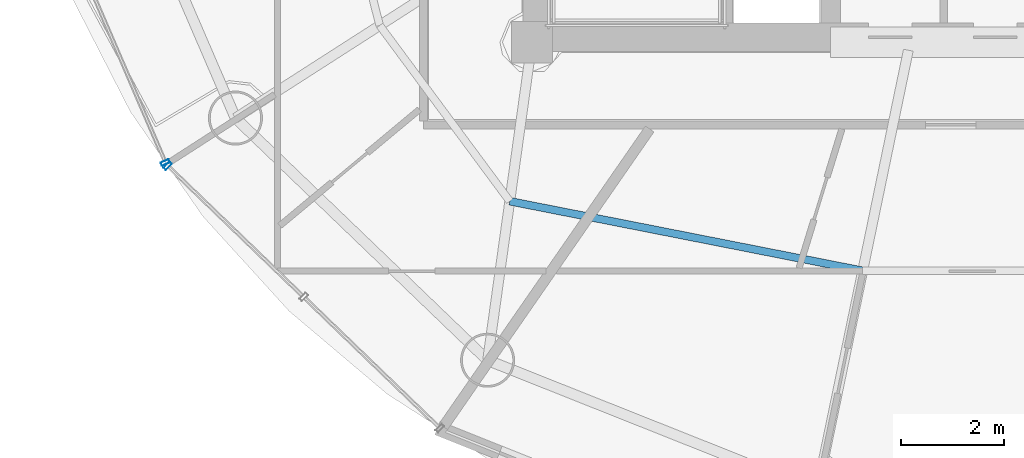
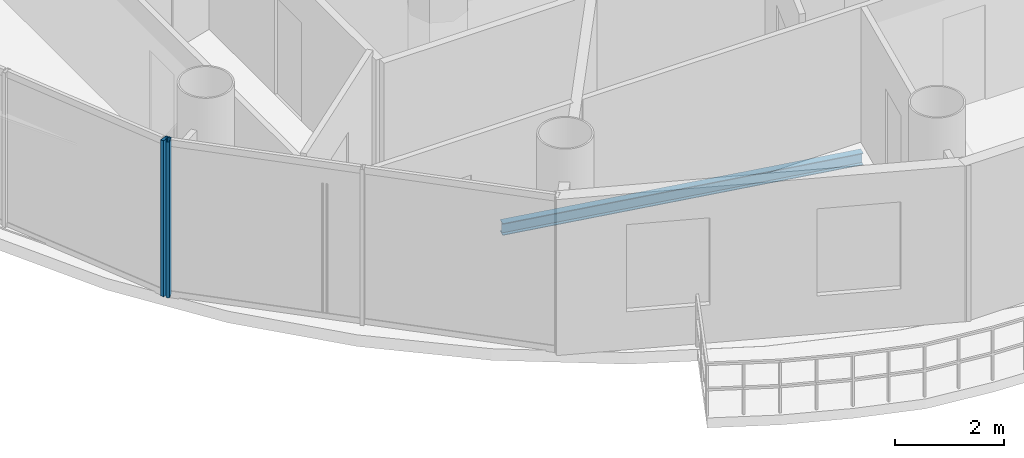
# One storey, part 3 of 24: 2 members, 1 beam, 2 elements without a shape of their own.
"""IFC4 building model written with IfcOpenShell, lengths in metres."""

from ifc_helpers import new_model, si_unit, direction, frame, origin, origin_2d, place, context, subcontext, project, spatial, hollow_rectangle, i_section, extrude, source, transform, mapped, material, material_profile, profile_set, type_object, element, aggregate, save


model = new_model("IFC4")

# Units and contexts
model_context = context("Model", 3, precision=1e-05, world=origin(), true_north=direction((-0.2419218956, 0.970295726276)))
body_context = subcontext(model_context, "Body", "Model", "MODEL_VIEW")
ifc_project = project(units=[si_unit("LENGTHUNIT", "METRE"), si_unit("AREAUNIT", "SQUARE_METRE"), si_unit("VOLUMEUNIT", "CUBIC_METRE"), si_unit("PLANEANGLEUNIT", "RADIAN"), si_unit("MASSUNIT", "GRAM", prefix="KILO")], contexts=[model_context])

# Site, building, storey
site_placement = place(None, origin())
site = spatial("IfcSite", under=ifc_project, at=site_placement, CompositionType="ELEMENT")
building_placement = place(site_placement, origin())
building = spatial("IfcBuilding", under=site, at=building_placement, Name="Cobrevalo Terracotta Tower", CompositionType="ELEMENT")
storey_placement = place(building_placement, frame((0.0, 0.0, 270.699951171875)))
storey = spatial("IfcBuildingStorey", under=building, at=storey_placement, Name="L71", CompositionType="ELEMENT", Elevation=270.699951171875)

# Beam
ifc_material_1 = material(Name="Steel S355", Category="steel")
ifc_material_profile_1 = material_profile(ifc_material_1, i_section(OverallWidth=0.14794921875, OverallDepth=0.26611328125, WebThickness=0.007568359375, FlangeThickness=0.012939453125, at=origin_2d()), Name="W 250x44.8")
ifc_profile_set_1 = profile_set([ifc_material_profile_1], Name="Steel S355")
beam_type = type_object("IfcBeamType", Name="Structural Joist W 250x44.8 (Steel S355)", PredefinedType="JOIST", material=ifc_profile_set_1)
beam_placement = place(storey_placement, frame((28.5693359375, 15.711669921875, -0.39306640625), z_axis=(0.981145060421, -0.193272787563, 0.0), x_axis=(0.193272787563, 0.981145060421, 0.0)))
element("IfcBeam", 1, at=beam_placement, inside=storey, type_object=beam_type, Name="L71 circumferential secondary floor joist 11", PredefinedType="JOIST", context=body_context, shape_type="SweptSolid", body=[
    extrude(i_section(OverallWidth=0.14794921875, OverallDepth=0.26611328125, WebThickness=0.007568359375, FlangeThickness=0.012939453125, at=origin_2d()), origin(), (0.0, 0.0, 1.0), 6.98681640625),
])

# Curtain wall, member
ifc_material_2 = material(Name="Anodized aluminium", Category="aluminium")
curtain_wall_type = type_object("IfcCurtainWallType", Name="Upper-tower triple-glazed penthouse curtain wall CW-U3", PredefinedType="NOTDEFINED", material=ifc_material_2)
curtain_wall_1_placement = place(storey_placement, origin())
curtain_wall_1 = element("IfcCurtainWall", 2, at=curtain_wall_1_placement, inside=storey, type_object=curtain_wall_type, Name="L71 curtain wall CW-L71-S09", PredefinedType="NOTDEFINED")
ifc_material_profile_2 = material_profile(ifc_material_2, hollow_rectangle(XDim=0.070068359375, YDim=0.169921875, WallThickness=0.00439453125, at=origin_2d()), Name="CWM 70x170")
ifc_profile_set_2 = profile_set([ifc_material_profile_2], Name="Anodized aluminium")
member_type = type_object("IfcMemberType", Name="Upper tower unitised mullion 70x170", PredefinedType="MULLION", material=ifc_profile_set_2)
shared_shape = source(origin(), body_context, "Body", "SweptSolid", [
    extrude(hollow_rectangle(XDim=0.070068359375, YDim=0.169921875, WallThickness=0.00439453125, at=origin_2d()), origin(), (0.0, 0.0, 1.0), 3.489990234375),
])
member_1_placement = place(storey_placement, frame((21.878662109375, 16.46435546875, 0.0), z_axis=(0.0, 0.0, 1.0), x_axis=(0.39482403454, -0.91875675875, 0.0)))
member_1 = element("IfcMember", 3, at=member_1_placement, type_object=member_type, Name="CW-L71-S09 vertical mullion 03", PredefinedType="MULLION", context=body_context, shape_type="MappedRepresentation", body=[
    mapped(shared_shape, transform((0.0, 0.0, 0.0), scale=1.0)),
])
aggregate(curtain_wall_1, [member_1])

curtain_wall_2_placement = place(storey_placement, origin())
curtain_wall_2 = element("IfcCurtainWall", 4, at=curtain_wall_2_placement, inside=storey, type_object=curtain_wall_type, Name="L71 curtain wall CW-L71-S10", PredefinedType="NOTDEFINED")
member_2_placement = place(storey_placement, frame((21.92333984375, 16.399658203125, 0.0), z_axis=(0.0, 0.0, 1.0), x_axis=(0.71999418085, -0.69398010025, 0.0)))
member_2 = element("IfcMember", 5, at=member_2_placement, type_object=member_type, Name="CW-L71-S10 vertical mullion 01", PredefinedType="MULLION", context=body_context, shape_type="MappedRepresentation", body=[
    mapped(shared_shape, transform((0.0, 0.0, 0.0), scale=1.0)),
])
aggregate(curtain_wall_2, [member_2])

save(model, "model.ifc")
